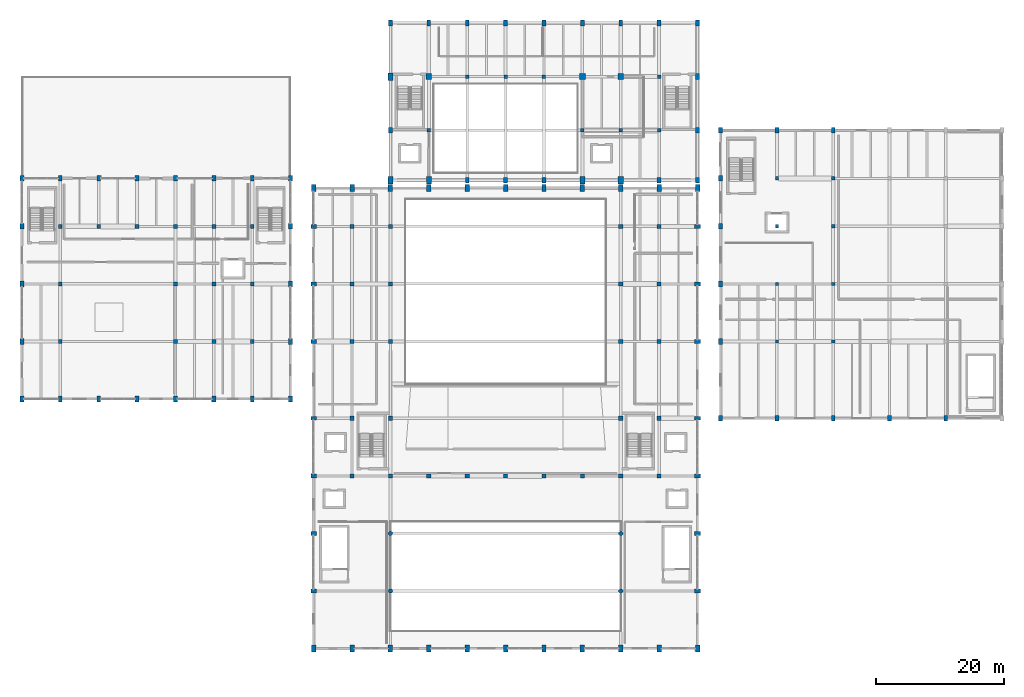
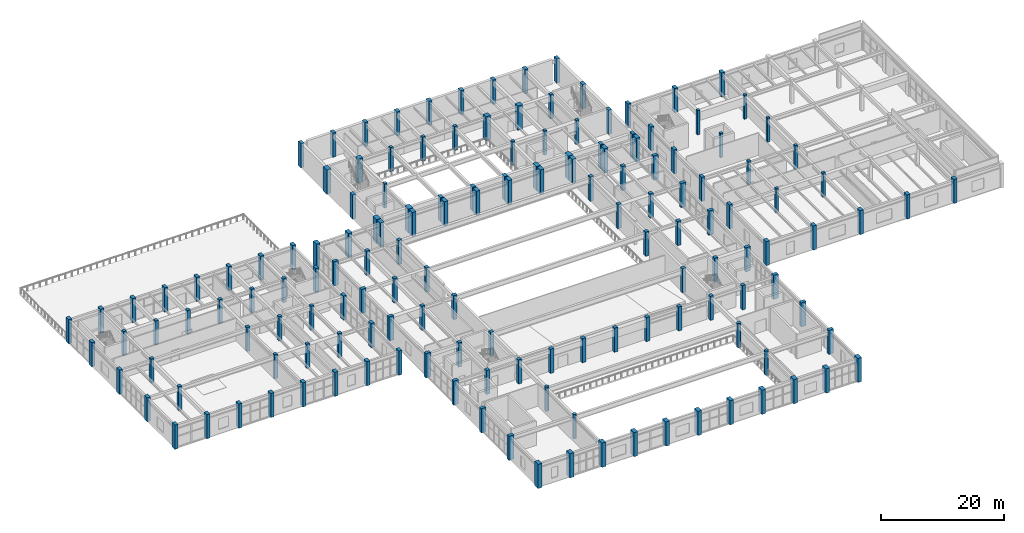
# One storey, part 1 of 80: 154 columns.
"""IFC4 building model written with IfcOpenShell, lengths in metres."""

from ifc_helpers import new_model, si_unit, direction, frame, origin, origin_2d, place, context, subcontext, project, spatial, rectangle, circle, extrude, material, material_profile, profile_set, type_object, element, save


model = new_model("IFC4")

# Units and contexts
model_context = context("Model", 3, precision=1e-05, world=origin(), true_north=direction((0.0, 1.0)))
body_context = subcontext(model_context, "Body", "Model", "MODEL_VIEW")
ifc_project = project(units=[si_unit("LENGTHUNIT", "METRE"), si_unit("AREAUNIT", "SQUARE_METRE"), si_unit("VOLUMEUNIT", "CUBIC_METRE"), si_unit("PLANEANGLEUNIT", "RADIAN"), si_unit("MASSUNIT", "GRAM", prefix="KILO")], contexts=[model_context])

# Site, building, storey
site_placement = place(None, origin())
site = spatial("IfcSite", under=ifc_project, at=site_placement, CompositionType="ELEMENT")
building_placement = place(site_placement, origin())
building = spatial("IfcBuilding", under=site, at=building_placement, Name="Vaelkrest Opera House", CompositionType="ELEMENT")
storey_placement = place(building_placement, frame((0.0, 0.0, 15.0)))
storey = spatial("IfcBuildingStorey", under=building, at=storey_placement, Name="L03", CompositionType="ELEMENT", Elevation=15.0)

# Columns
ifc_material = material(Name="Concrete C50/60", Category="concrete")
ifc_material_profile_1 = material_profile(ifc_material, rectangle(XDim=0.5, YDim=0.5, at=origin_2d()), Name="RC500X500")
ifc_profile_set_1 = profile_set([ifc_material_profile_1], Name="Concrete C50/60")
column_type_1 = type_object("IfcColumnType", Name="C01", PredefinedType="COLUMN", material=ifc_profile_set_1)
for number, where, z_axis, x_axis, name in (
    (1, (42.39990234375, -7.800048828125, 0.0), (0.0, 0.0, 1.0), (1.0, 0.0, 0.0), "Column COL-V4-L03-1350"),
    (2, (42.39990234375, 1.199951171875, 0.0), (0.0, 0.0, 1.0), (1.0, 0.0, 0.0), "Column COL-V4-L03-1351"),
    (3, (42.39990234375, 10.199951171875, 0.0), (0.0, 0.0, 1.0), (1.0, 0.0, 0.0), "Column COL-V4-L03-1352"),
    (4, (42.39990234375, 17.699951171875, 0.0), (0.0, 0.0, 1.0), (1.0, 0.0, 0.0), "Column COL-V4-L03-1353"),
    (5, (51.199951171875, -7.800048828125, 0.0), (0.0, 0.0, 1.0), (1.0, 0.0, 0.0), "Column COL-V4-L03-1356"),
    (6, (51.199951171875, 1.199951171875, 0.0), (0.0, 0.0, 1.0), (1.0, 0.0, 0.0), "Column COL-V4-L03-1357"),
    (7, (51.199951171875, 10.199951171875, 0.0), (0.0, 0.0, 1.0), (1.0, 0.0, 0.0), "Column COL-V4-L03-1358"),
    (8, (51.199951171875, 17.699951171875, 0.0), (0.0, 0.0, 1.0), (1.0, 0.0, 0.0), "Column COL-V4-L03-1359"),
):
    element("IfcColumn", number, at=place(storey_placement, frame(where, z_axis=z_axis, x_axis=x_axis)), inside=storey, type_object=column_type_1, Name=name, PredefinedType="COLUMN", context=body_context, shape_type="SweptSolid", body=[
        extrude(rectangle(XDim=0.5, YDim=0.5, at=origin_2d()), origin(), (0.0, 0.0, 1.0), 4.800048828125),
    ])
ifc_material_profile_2 = material_profile(ifc_material, rectangle(XDim=0.60009765625, YDim=0.60009765625, at=origin_2d()), Name="RC600X600")
ifc_profile_set_2 = profile_set([ifc_material_profile_2], Name="Concrete C50/60")
column_type_2 = type_object("IfcColumnType", Name="C02", PredefinedType="COLUMN", material=ifc_profile_set_2)
for number, where, z_axis, x_axis, name in (
    (9, (-69.60009765625, -7.800048828125, 0.0), (0.0, 0.0, 1.0), (1.0, 0.0, 0.0), "Column COL-V3-L03-1054"),
    (10, (-69.60009765625, 1.199951171875, 0.0), (0.0, 0.0, 1.0), (1.0, 0.0, 0.0), "Column COL-V3-L03-1055"),
    (11, (-69.60009765625, 10.199951171875, 0.0), (0.0, 0.0, 1.0), (1.0, 0.0, 0.0), "Column COL-V3-L03-1056"),
    (12, (-63.60009765625, 10.199951171875, 0.0), (0.0, 0.0, 1.0), (1.0, 0.0, 0.0), "Column COL-V3-L03-1059"),
    (13, (-57.60009765625, 10.199951171875, 0.0), (0.0, 0.0, 1.0), (1.0, 0.0, 0.0), "Column COL-V3-L03-1062"),
    (14, (-51.60009765625, -7.800048828125, 0.0), (0.0, 0.0, 1.0), (1.0, 0.0, 0.0), "Column COL-V3-L03-1065"),
    (15, (-51.60009765625, 1.199951171875, 0.0), (0.0, 0.0, 1.0), (1.0, 0.0, 0.0), "Column COL-V3-L03-1066"),
    (16, (-51.60009765625, 10.199951171875, 0.0), (0.0, 0.0, 1.0), (1.0, 0.0, 0.0), "Column COL-V3-L03-1067"),
    (17, (-45.60009765625, -7.800048828125, 0.0), (0.0, 0.0, 1.0), (1.0, 0.0, 0.0), "Column COL-V3-L03-1070"),
    (18, (-45.60009765625, 1.199951171875, 0.0), (0.0, 0.0, 1.0), (1.0, 0.0, 0.0), "Column COL-V3-L03-1071"),
    (19, (-45.60009765625, 10.199951171875, 0.0), (0.0, 0.0, 1.0), (1.0, 0.0, 0.0), "Column COL-V3-L03-1072"),
    (20, (-39.60009765625, -7.800048828125, 0.0), (0.0, 0.0, 1.0), (1.0, 0.0, 0.0), "Column COL-V3-L03-1075"),
    (21, (-39.60009765625, 1.199951171875, 0.0), (0.0, 0.0, 1.0), (1.0, 0.0, 0.0), "Column COL-V3-L03-1076"),
    (22, (-39.60009765625, 10.199951171875, 0.0), (0.0, 0.0, 1.0), (1.0, 0.0, 0.0), "Column COL-V3-L03-1077"),
):
    element("IfcColumn", number, at=place(storey_placement, frame(where, z_axis=z_axis, x_axis=x_axis)), inside=storey, type_object=column_type_2, Name=name, PredefinedType="COLUMN", context=body_context, shape_type="SweptSolid", body=[
        extrude(rectangle(XDim=0.60009765625, YDim=0.60009765625, at=origin_2d()), origin(), (0.0, 0.0, 1.0), 4.800048828125),
    ])
ifc_material_profile_3 = material_profile(ifc_material, rectangle(XDim=0.89990234375, YDim=0.89990234375, at=origin_2d()), Name="RC900X900")
ifc_profile_set_3 = profile_set([ifc_material_profile_3], Name="Concrete C50/60")
column_type_3 = type_object("IfcColumnType", Name="C05", PredefinedType="COLUMN", material=ifc_profile_set_3)
for number, where, z_axis, x_axis, name in (
    (23, (-12.0, 33.60009765625, 0.0), (0.0, 0.0, 1.0), (1.0, 0.0, 0.0), "Column COL-V2-L03-0665"),
    (24, (12.0, 33.60009765625, 0.0), (0.0, 0.0, 1.0), (1.0, 0.0, 0.0), "Column COL-V2-L03-0678"),
    (25, (18.0, 33.60009765625, 0.0), (0.0, 0.0, 1.0), (1.0, 0.0, 0.0), "Column COL-V2-L03-0682"),
):
    element("IfcColumn", number, at=place(storey_placement, frame(where, z_axis=z_axis, x_axis=x_axis)), inside=storey, type_object=column_type_3, Name=name, PredefinedType="COLUMN", context=body_context, shape_type="SweptSolid", body=[
        extrude(rectangle(XDim=0.89990234375, YDim=0.89990234375, at=origin_2d()), origin(), (0.0, 0.0, 1.0), 4.800048828125),
    ])
ifc_material_profile_4 = material_profile(ifc_material, rectangle(XDim=0.60009765625, YDim=0.89990234375, at=origin_2d()), Name="RC600X900")
ifc_profile_set_4 = profile_set([ifc_material_profile_4], Name="Concrete C50/60")
column_type_4 = type_object("IfcColumnType", Name="C06", PredefinedType="COLUMN", material=ifc_profile_set_4)
for number, where, z_axis, x_axis, name in (
    (26, (-30.0, -46.800048828125, 0.0), (0.0, 0.0, 1.0), (0.0, 1.0, 0.0), "Column COL-V1-L03-0270"),
    (27, (-30.0, -37.800048828125, 0.0), (0.0, 0.0, 1.0), (0.0, 1.0, 0.0), "Column COL-V1-L03-0271"),
    (28, (-30.0, -28.800048828125, 0.0), (0.0, 0.0, 1.0), (0.0, 1.0, 0.0), "Column COL-V1-L03-0272"),
    (29, (-30.0, -19.800048828125, 0.0), (0.0, 0.0, 1.0), (0.0, 1.0, 0.0), "Column COL-V1-L03-0273"),
    (30, (-30.0, -7.800048828125, 0.0), (0.0, 0.0, 1.0), (0.0, 1.0, 0.0), "Column COL-V1-L03-0274"),
    (31, (-30.0, 1.199951171875, 0.0), (0.0, 0.0, 1.0), (0.0, 1.0, 0.0), "Column COL-V1-L03-0275"),
    (32, (-30.0, 10.199951171875, 0.0), (0.0, 0.0, 1.0), (0.0, 1.0, 0.0), "Column COL-V1-L03-0276"),
    (33, (30.0, -46.800048828125, 0.0), (0.0, 0.0, 1.0), (0.0, 1.0, 0.0), "Column COL-V1-L03-0326"),
    (34, (30.0, -37.800048828125, 0.0), (0.0, 0.0, 1.0), (0.0, 1.0, 0.0), "Column COL-V1-L03-0327"),
    (35, (30.0, -28.800048828125, 0.0), (0.0, 0.0, 1.0), (0.0, 1.0, 0.0), "Column COL-V1-L03-0328"),
    (36, (30.0, -19.800048828125, 0.0), (0.0, 0.0, 1.0), (0.0, 1.0, 0.0), "Column COL-V1-L03-0329"),
    (37, (30.0, -7.800048828125, 0.0), (0.0, 0.0, 1.0), (0.0, 1.0, 0.0), "Column COL-V1-L03-0330"),
    (38, (30.0, 1.199951171875, 0.0), (0.0, 0.0, 1.0), (0.0, 1.0, 0.0), "Column COL-V1-L03-0331"),
    (39, (30.0, 10.199951171875, 0.0), (0.0, 0.0, 1.0), (0.0, 1.0, 0.0), "Column COL-V1-L03-0332"),
    (40, (-18.0, 25.199951171875, 0.0), (0.0, 0.0, 1.0), (1.0, 0.0, 0.0), "Column COL-V2-L03-0660"),
    (41, (-18.0, 42.0, 0.0), (0.0, 0.0, 1.0), (1.0, 0.0, 0.0), "Column COL-V2-L03-0662"),
    (42, (-12.0, 42.0, 0.0), (0.0, 0.0, 1.0), (1.0, 0.0, 0.0), "Column COL-V2-L03-0666"),
    (43, (-6.0, 17.39990234375, 0.0), (0.0, 0.0, 1.0), (1.0, 0.0, 0.0), "Column COL-V2-L03-0667"),
    (44, (-6.0, 42.0, 0.0), (0.0, 0.0, 1.0), (1.0, 0.0, 0.0), "Column COL-V2-L03-0669"),
    (45, (0.0, 17.39990234375, 0.0), (0.0, 0.0, 1.0), (1.0, 0.0, 0.0), "Column COL-V2-L03-0670"),
    (46, (0.0, 42.0, 0.0), (0.0, 0.0, 1.0), (1.0, 0.0, 0.0), "Column COL-V2-L03-0672"),
    (47, (6.0, 17.39990234375, 0.0), (0.0, 0.0, 1.0), (1.0, 0.0, 0.0), "Column COL-V2-L03-0673"),
    (48, (6.0, 42.0, 0.0), (0.0, 0.0, 1.0), (1.0, 0.0, 0.0), "Column COL-V2-L03-0675"),
    (49, (12.0, 42.0, 0.0), (0.0, 0.0, 1.0), (1.0, 0.0, 0.0), "Column COL-V2-L03-0679"),
    (50, (18.0, 42.0, 0.0), (0.0, 0.0, 1.0), (1.0, 0.0, 0.0), "Column COL-V2-L03-0683"),
    (51, (24.0, 17.39990234375, 0.0), (0.0, 0.0, 1.0), (1.0, 0.0, 0.0), "Column COL-V2-L03-0684"),
    (52, (24.0, 42.0, 0.0), (0.0, 0.0, 1.0), (1.0, 0.0, 0.0), "Column COL-V2-L03-0687"),
    (53, (30.0, 17.39990234375, 0.0), (0.0, 0.0, 1.0), (1.0, 0.0, 0.0), "Column COL-V2-L03-0688"),
    (54, (30.0, 25.199951171875, 0.0), (0.0, 0.0, 1.0), (1.0, 0.0, 0.0), "Column COL-V2-L03-0689"),
    (55, (30.0, 33.60009765625, 0.0), (0.0, 0.0, 1.0), (1.0, 0.0, 0.0), "Column COL-V2-L03-0690"),
    (56, (30.0, 42.0, 0.0), (0.0, 0.0, 1.0), (1.0, 0.0, 0.0), "Column COL-V2-L03-0691"),
    (57, (-75.60009765625, -16.800048828125, 0.0), (0.0, 0.0, 1.0), (1.0, 0.0, 0.0), "Column COL-V3-L03-1048"),
    (58, (-75.60009765625, -7.800048828125, 0.0), (0.0, 0.0, 1.0), (1.0, 0.0, 0.0), "Column COL-V3-L03-1049"),
    (59, (-75.60009765625, 1.199951171875, 0.0), (0.0, 0.0, 1.0), (1.0, 0.0, 0.0), "Column COL-V3-L03-1050"),
    (60, (-75.60009765625, 10.199951171875, 0.0), (0.0, 0.0, 1.0), (1.0, 0.0, 0.0), "Column COL-V3-L03-1051"),
    (61, (-75.60009765625, 17.699951171875, 0.0), (0.0, 0.0, 1.0), (1.0, 0.0, 0.0), "Column COL-V3-L03-1052"),
    (62, (-69.60009765625, -16.800048828125, 0.0), (0.0, 0.0, 1.0), (1.0, 0.0, 0.0), "Column COL-V3-L03-1053"),
    (63, (-69.60009765625, 17.699951171875, 0.0), (0.0, 0.0, 1.0), (1.0, 0.0, 0.0), "Column COL-V3-L03-1057"),
    (64, (-63.60009765625, -16.800048828125, 0.0), (0.0, 0.0, 1.0), (1.0, 0.0, 0.0), "Column COL-V3-L03-1058"),
    (65, (-63.60009765625, 17.699951171875, 0.0), (0.0, 0.0, 1.0), (1.0, 0.0, 0.0), "Column COL-V3-L03-1060"),
    (66, (-57.60009765625, -16.800048828125, 0.0), (0.0, 0.0, 1.0), (1.0, 0.0, 0.0), "Column COL-V3-L03-1061"),
    (67, (-57.60009765625, 17.699951171875, 0.0), (0.0, 0.0, 1.0), (1.0, 0.0, 0.0), "Column COL-V3-L03-1063"),
    (68, (-51.60009765625, -16.800048828125, 0.0), (0.0, 0.0, 1.0), (1.0, 0.0, 0.0), "Column COL-V3-L03-1064"),
    (69, (-51.60009765625, 17.699951171875, 0.0), (0.0, 0.0, 1.0), (1.0, 0.0, 0.0), "Column COL-V3-L03-1068"),
    (70, (-45.60009765625, -16.800048828125, 0.0), (0.0, 0.0, 1.0), (1.0, 0.0, 0.0), "Column COL-V3-L03-1069"),
    (71, (-45.60009765625, 17.699951171875, 0.0), (0.0, 0.0, 1.0), (1.0, 0.0, 0.0), "Column COL-V3-L03-1073"),
    (72, (-39.60009765625, -16.800048828125, 0.0), (0.0, 0.0, 1.0), (1.0, 0.0, 0.0), "Column COL-V3-L03-1074"),
    (73, (-39.60009765625, 17.699951171875, 0.0), (0.0, 0.0, 1.0), (1.0, 0.0, 0.0), "Column COL-V3-L03-1078"),
    (74, (-33.60009765625, -16.800048828125, 0.0), (0.0, 0.0, 1.0), (1.0, 0.0, 0.0), "Column COL-V3-L03-1079"),
    (75, (-33.60009765625, -7.800048828125, 0.0), (0.0, 0.0, 1.0), (1.0, 0.0, 0.0), "Column COL-V3-L03-1080"),
    (76, (-33.60009765625, 1.199951171875, 0.0), (0.0, 0.0, 1.0), (1.0, 0.0, 0.0), "Column COL-V3-L03-1081"),
    (77, (-33.60009765625, 10.199951171875, 0.0), (0.0, 0.0, 1.0), (1.0, 0.0, 0.0), "Column COL-V3-L03-1082"),
    (78, (-33.60009765625, 17.699951171875, 0.0), (0.0, 0.0, 1.0), (1.0, 0.0, 0.0), "Column COL-V3-L03-1083"),
    (79, (33.60009765625, -19.800048828125, 0.0), (0.0, 0.0, 1.0), (1.0, 0.0, 0.0), "Column COL-V4-L03-1343"),
    (80, (33.60009765625, -7.800048828125, 0.0), (0.0, 0.0, 1.0), (1.0, 0.0, 0.0), "Column COL-V4-L03-1344"),
    (81, (33.60009765625, 1.199951171875, 0.0), (0.0, 0.0, 1.0), (1.0, 0.0, 0.0), "Column COL-V4-L03-1345"),
    (82, (33.60009765625, 10.199951171875, 0.0), (0.0, 0.0, 1.0), (1.0, 0.0, 0.0), "Column COL-V4-L03-1346"),
    (83, (33.60009765625, 17.699951171875, 0.0), (0.0, 0.0, 1.0), (1.0, 0.0, 0.0), "Column COL-V4-L03-1347"),
    (84, (33.60009765625, 25.199951171875, 0.0), (0.0, 0.0, 1.0), (1.0, 0.0, 0.0), "Column COL-V4-L03-1348"),
    (85, (42.39990234375, -19.800048828125, 0.0), (0.0, 0.0, 1.0), (1.0, 0.0, 0.0), "Column COL-V4-L03-1349"),
    (86, (42.39990234375, 25.199951171875, 0.0), (0.0, 0.0, 1.0), (1.0, 0.0, 0.0), "Column COL-V4-L03-1354"),
    (87, (51.199951171875, -19.800048828125, 0.0), (0.0, 0.0, 1.0), (1.0, 0.0, 0.0), "Column COL-V4-L03-1355"),
    (88, (51.199951171875, 25.199951171875, 0.0), (0.0, 0.0, 1.0), (1.0, 0.0, 0.0), "Column COL-V4-L03-1360"),
    (89, (60.0, -19.800048828125, 0.0), (0.0, 0.0, 1.0), (1.0, 0.0, 0.0), "Column COL-V4-L03-1361"),
    (90, (68.800048828125, -19.800048828125, 0.0), (0.0, 0.0, 1.0), (1.0, 0.0, 0.0), "Column COL-V4-L03-1365"),
):
    element("IfcColumn", number, at=place(storey_placement, frame(where, z_axis=z_axis, x_axis=x_axis)), inside=storey, type_object=column_type_4, Name=name, PredefinedType="COLUMN", context=body_context, shape_type="SweptSolid", body=[
        extrude(rectangle(XDim=0.60009765625, YDim=0.89990234375, at=origin_2d()), origin(), (0.0, 0.0, 1.0), 4.800048828125),
    ])
ifc_material_profile_5 = material_profile(ifc_material, rectangle(XDim=0.699951171875, YDim=1.10009765625, at=origin_2d()), Name="RC700X1100")
ifc_profile_set_5 = profile_set([ifc_material_profile_5], Name="Concrete C50/60")
column_type_5 = type_object("IfcColumnType", Name="C07", PredefinedType="COLUMN", material=ifc_profile_set_5)
for number, where, z_axis, x_axis, name in (
    (91, (-30.0, -55.800048828125, 0.0), (0.0, 0.0, 1.0), (1.0, 0.0, 0.0), "Column COL-V1-L03-0269"),
    (92, (-30.0, 16.199951171875, 0.0), (0.0, 0.0, 1.0), (1.0, 0.0, 0.0), "Column COL-V1-L03-0277"),
    (93, (-24.0, -55.800048828125, 0.0), (0.0, 0.0, 1.0), (1.0, 0.0, 0.0), "Column COL-V1-L03-0278"),
    (94, (-24.0, 16.199951171875, 0.0), (0.0, 0.0, 1.0), (1.0, 0.0, 0.0), "Column COL-V1-L03-0284"),
    (95, (-18.0, -55.800048828125, 0.0), (0.0, 0.0, 1.0), (1.0, 0.0, 0.0), "Column COL-V1-L03-0285"),
    (96, (-18.0, 16.199951171875, 0.0), (0.0, 0.0, 1.0), (1.0, 0.0, 0.0), "Column COL-V1-L03-0293"),
    (97, (-12.0, -55.800048828125, 0.0), (0.0, 0.0, 1.0), (1.0, 0.0, 0.0), "Column COL-V1-L03-0294"),
    (98, (-12.0, 16.199951171875, 0.0), (0.0, 0.0, 1.0), (1.0, 0.0, 0.0), "Column COL-V1-L03-0296"),
    (99, (-6.0, -55.800048828125, 0.0), (0.0, 0.0, 1.0), (1.0, 0.0, 0.0), "Column COL-V1-L03-0297"),
    (100, (-6.0, 16.199951171875, 0.0), (0.0, 0.0, 1.0), (1.0, 0.0, 0.0), "Column COL-V1-L03-0299"),
    (101, (0.0, -55.800048828125, 0.0), (0.0, 0.0, 1.0), (1.0, 0.0, 0.0), "Column COL-V1-L03-0300"),
    (102, (0.0, 16.199951171875, 0.0), (0.0, 0.0, 1.0), (1.0, 0.0, 0.0), "Column COL-V1-L03-0302"),
    (103, (6.0, -55.800048828125, 0.0), (0.0, 0.0, 1.0), (1.0, 0.0, 0.0), "Column COL-V1-L03-0303"),
    (104, (6.0, 16.199951171875, 0.0), (0.0, 0.0, 1.0), (1.0, 0.0, 0.0), "Column COL-V1-L03-0305"),
    (105, (12.0, -55.800048828125, 0.0), (0.0, 0.0, 1.0), (1.0, 0.0, 0.0), "Column COL-V1-L03-0306"),
    (106, (12.0, 16.199951171875, 0.0), (0.0, 0.0, 1.0), (1.0, 0.0, 0.0), "Column COL-V1-L03-0308"),
    (107, (18.0, -55.800048828125, 0.0), (0.0, 0.0, 1.0), (1.0, 0.0, 0.0), "Column COL-V1-L03-0309"),
    (108, (18.0, 16.199951171875, 0.0), (0.0, 0.0, 1.0), (1.0, 0.0, 0.0), "Column COL-V1-L03-0317"),
    (109, (24.0, -55.800048828125, 0.0), (0.0, 0.0, 1.0), (1.0, 0.0, 0.0), "Column COL-V1-L03-0318"),
    (110, (24.0, 16.199951171875, 0.0), (0.0, 0.0, 1.0), (1.0, 0.0, 0.0), "Column COL-V1-L03-0324"),
    (111, (30.0, -55.800048828125, 0.0), (0.0, 0.0, 1.0), (1.0, 0.0, 0.0), "Column COL-V1-L03-0325"),
    (112, (30.0, 16.199951171875, 0.0), (0.0, 0.0, 1.0), (1.0, 0.0, 0.0), "Column COL-V1-L03-0333"),
):
    element("IfcColumn", number, at=place(storey_placement, frame(where, z_axis=z_axis, x_axis=x_axis)), inside=storey, type_object=column_type_5, Name=name, PredefinedType="COLUMN", context=body_context, shape_type="SweptSolid", body=[
        extrude(rectangle(XDim=0.699951171875, YDim=1.10009765625, at=origin_2d()), origin(), (0.0, 0.0, 1.0), 4.800048828125),
    ])
ifc_material_profile_6 = material_profile(ifc_material, rectangle(XDim=0.800048828125, YDim=1.199951171875, at=origin_2d()), Name="RC800X1200")
ifc_profile_set_6 = profile_set([ifc_material_profile_6], Name="Concrete C50/60")
column_type_6 = type_object("IfcColumnType", Name="C08", PredefinedType="COLUMN", material=ifc_profile_set_6)
for number, where, z_axis, x_axis, name in (
    (113, (-18.0, 17.39990234375, 0.0), (0.0, 0.0, 1.0), (1.0, 0.0, 0.0), "Column COL-V2-L03-0659"),
    (114, (-18.0, 33.60009765625, 0.0), (0.0, 0.0, 1.0), (1.0, 0.0, 0.0), "Column COL-V2-L03-0661"),
    (115, (-12.0, 17.39990234375, 0.0), (0.0, 0.0, 1.0), (1.0, 0.0, 0.0), "Column COL-V2-L03-0663"),
    (116, (12.0, 17.39990234375, 0.0), (0.0, 0.0, 1.0), (1.0, 0.0, 0.0), "Column COL-V2-L03-0676"),
    (117, (18.0, 17.39990234375, 0.0), (0.0, 0.0, 1.0), (1.0, 0.0, 0.0), "Column COL-V2-L03-0680"),
):
    element("IfcColumn", number, at=place(storey_placement, frame(where, z_axis=z_axis, x_axis=x_axis)), inside=storey, type_object=column_type_6, Name=name, PredefinedType="COLUMN", context=body_context, shape_type="SweptSolid", body=[
        extrude(rectangle(XDim=0.800048828125, YDim=1.199951171875, at=origin_2d()), origin(), (0.0, 0.0, 1.0), 4.800048828125),
    ])
ifc_material_profile_7 = material_profile(ifc_material, circle(Radius=0.35009765625, at=origin_2d()), Name="RCD700")
ifc_profile_set_7 = profile_set([ifc_material_profile_7], Name="Concrete C50/60")
column_type_7 = type_object("IfcColumnType", Name="C09", PredefinedType="COLUMN", material=ifc_profile_set_7)
for number, where, z_axis, x_axis, name in (
    (118, (-18.0, -46.800048828125, 0.0), (0.0, 0.0, 1.0), (1.0, 0.0, 0.0), "Column COL-V1-L03-0286"),
    (119, (-18.0, -37.800048828125, 0.0), (0.0, 0.0, 1.0), (1.0, 0.0, 0.0), "Column COL-V1-L03-0287"),
    (120, (18.0, -46.800048828125, 0.0), (0.0, 0.0, 1.0), (1.0, 0.0, 0.0), "Column COL-V1-L03-0310"),
    (121, (18.0, -37.800048828125, 0.0), (0.0, 0.0, 1.0), (1.0, 0.0, 0.0), "Column COL-V1-L03-0311"),
):
    element("IfcColumn", number, at=place(storey_placement, frame(where, z_axis=z_axis, x_axis=x_axis)), inside=storey, type_object=column_type_7, Name=name, PredefinedType="COLUMN", context=body_context, shape_type="SweptSolid", body=[
        extrude(circle(Radius=0.35009765625, at=origin_2d()), origin(), (0.0, 0.0, 1.0), 4.800048828125),
    ])
ifc_material_profile_8 = material_profile(ifc_material, rectangle(XDim=0.550048828125, YDim=0.550048828125, at=origin_2d()), Name="RC550X550")
ifc_profile_set_8 = profile_set([ifc_material_profile_8], Name="Concrete C50/60")
column_type_8 = type_object("IfcColumnType", Name="C13", PredefinedType="COLUMN", material=ifc_profile_set_8)
for number, where, z_axis, x_axis, name in (
    (122, (-12.0, 25.199951171875, 0.0), (0.0, 0.0, 1.0), (1.0, 0.0, 0.0), "Column COL-V2-L03-0664"),
    (123, (-6.0, 33.60009765625, 0.0), (0.0, 0.0, 1.0), (1.0, 0.0, 0.0), "Column COL-V2-L03-0668"),
    (124, (0.0, 33.60009765625, 0.0), (0.0, 0.0, 1.0), (1.0, 0.0, 0.0), "Column COL-V2-L03-0671"),
    (125, (6.0, 33.60009765625, 0.0), (0.0, 0.0, 1.0), (1.0, 0.0, 0.0), "Column COL-V2-L03-0674"),
    (126, (12.0, 25.199951171875, 0.0), (0.0, 0.0, 1.0), (1.0, 0.0, 0.0), "Column COL-V2-L03-0677"),
    (127, (18.0, 25.199951171875, 0.0), (0.0, 0.0, 1.0), (1.0, 0.0, 0.0), "Column COL-V2-L03-0681"),
    (128, (24.0, 25.199951171875, 0.0), (0.0, 0.0, 1.0), (1.0, 0.0, 0.0), "Column COL-V2-L03-0685"),
    (129, (24.0, 33.60009765625, 0.0), (0.0, 0.0, 1.0), (1.0, 0.0, 0.0), "Column COL-V2-L03-0686"),
):
    element("IfcColumn", number, at=place(storey_placement, frame(where, z_axis=z_axis, x_axis=x_axis)), inside=storey, type_object=column_type_8, Name=name, PredefinedType="COLUMN", context=body_context, shape_type="SweptSolid", body=[
        extrude(rectangle(XDim=0.550048828125, YDim=0.550048828125, at=origin_2d()), origin(), (0.0, 0.0, 1.0), 4.800048828125),
    ])
ifc_material_profile_9 = material_profile(ifc_material, rectangle(XDim=0.64990234375, YDim=0.64990234375, at=origin_2d()), Name="RC650X650")
ifc_profile_set_9 = profile_set([ifc_material_profile_9], Name="Concrete C50/60")
column_type_9 = type_object("IfcColumnType", Name="C14", PredefinedType="COLUMN", material=ifc_profile_set_9)
for number, where, z_axis, x_axis, name in (
    (130, (-24.0, -28.800048828125, 0.0), (0.0, 0.0, 1.0), (1.0, 0.0, 0.0), "Column COL-V1-L03-0279"),
    (131, (-24.0, -19.800048828125, 0.0), (0.0, 0.0, 1.0), (1.0, 0.0, 0.0), "Column COL-V1-L03-0280"),
    (132, (-24.0, -7.800048828125, 0.0), (0.0, 0.0, 1.0), (1.0, 0.0, 0.0), "Column COL-V1-L03-0281"),
    (133, (-24.0, 1.199951171875, 0.0), (0.0, 0.0, 1.0), (1.0, 0.0, 0.0), "Column COL-V1-L03-0282"),
    (134, (-24.0, 10.199951171875, 0.0), (0.0, 0.0, 1.0), (1.0, 0.0, 0.0), "Column COL-V1-L03-0283"),
    (135, (-18.0, -28.800048828125, 0.0), (0.0, 0.0, 1.0), (1.0, 0.0, 0.0), "Column COL-V1-L03-0288"),
    (136, (-18.0, -19.800048828125, 0.0), (0.0, 0.0, 1.0), (1.0, 0.0, 0.0), "Column COL-V1-L03-0289"),
    (137, (-18.0, -7.800048828125, 0.0), (0.0, 0.0, 1.0), (1.0, 0.0, 0.0), "Column COL-V1-L03-0290"),
    (138, (-18.0, 1.199951171875, 0.0), (0.0, 0.0, 1.0), (1.0, 0.0, 0.0), "Column COL-V1-L03-0291"),
    (139, (-18.0, 10.199951171875, 0.0), (0.0, 0.0, 1.0), (1.0, 0.0, 0.0), "Column COL-V1-L03-0292"),
    (140, (-12.0, -28.800048828125, 0.0), (0.0, 0.0, 1.0), (1.0, 0.0, 0.0), "Column COL-V1-L03-0295"),
    (141, (-6.0, -28.800048828125, 0.0), (0.0, 0.0, 1.0), (1.0, 0.0, 0.0), "Column COL-V1-L03-0298"),
    (142, (0.0, -28.800048828125, 0.0), (0.0, 0.0, 1.0), (1.0, 0.0, 0.0), "Column COL-V1-L03-0301"),
    (143, (6.0, -28.800048828125, 0.0), (0.0, 0.0, 1.0), (1.0, 0.0, 0.0), "Column COL-V1-L03-0304"),
    (144, (12.0, -28.800048828125, 0.0), (0.0, 0.0, 1.0), (1.0, 0.0, 0.0), "Column COL-V1-L03-0307"),
    (145, (18.0, -28.800048828125, 0.0), (0.0, 0.0, 1.0), (1.0, 0.0, 0.0), "Column COL-V1-L03-0312"),
    (146, (18.0, -19.800048828125, 0.0), (0.0, 0.0, 1.0), (1.0, 0.0, 0.0), "Column COL-V1-L03-0313"),
    (147, (18.0, -7.800048828125, 0.0), (0.0, 0.0, 1.0), (1.0, 0.0, 0.0), "Column COL-V1-L03-0314"),
    (148, (18.0, 1.199951171875, 0.0), (0.0, 0.0, 1.0), (1.0, 0.0, 0.0), "Column COL-V1-L03-0315"),
    (149, (18.0, 10.199951171875, 0.0), (0.0, 0.0, 1.0), (1.0, 0.0, 0.0), "Column COL-V1-L03-0316"),
    (150, (24.0, -28.800048828125, 0.0), (0.0, 0.0, 1.0), (1.0, 0.0, 0.0), "Column COL-V1-L03-0319"),
    (151, (24.0, -19.800048828125, 0.0), (0.0, 0.0, 1.0), (1.0, 0.0, 0.0), "Column COL-V1-L03-0320"),
    (152, (24.0, -7.800048828125, 0.0), (0.0, 0.0, 1.0), (1.0, 0.0, 0.0), "Column COL-V1-L03-0321"),
    (153, (24.0, 1.199951171875, 0.0), (0.0, 0.0, 1.0), (1.0, 0.0, 0.0), "Column COL-V1-L03-0322"),
    (154, (24.0, 10.199951171875, 0.0), (0.0, 0.0, 1.0), (1.0, 0.0, 0.0), "Column COL-V1-L03-0323"),
):
    element("IfcColumn", number, at=place(storey_placement, frame(where, z_axis=z_axis, x_axis=x_axis)), inside=storey, type_object=column_type_9, Name=name, PredefinedType="COLUMN", context=body_context, shape_type="SweptSolid", body=[
        extrude(rectangle(XDim=0.64990234375, YDim=0.64990234375, at=origin_2d()), origin(), (0.0, 0.0, 1.0), 4.800048828125),
    ])

save(model, "model.ifc")
